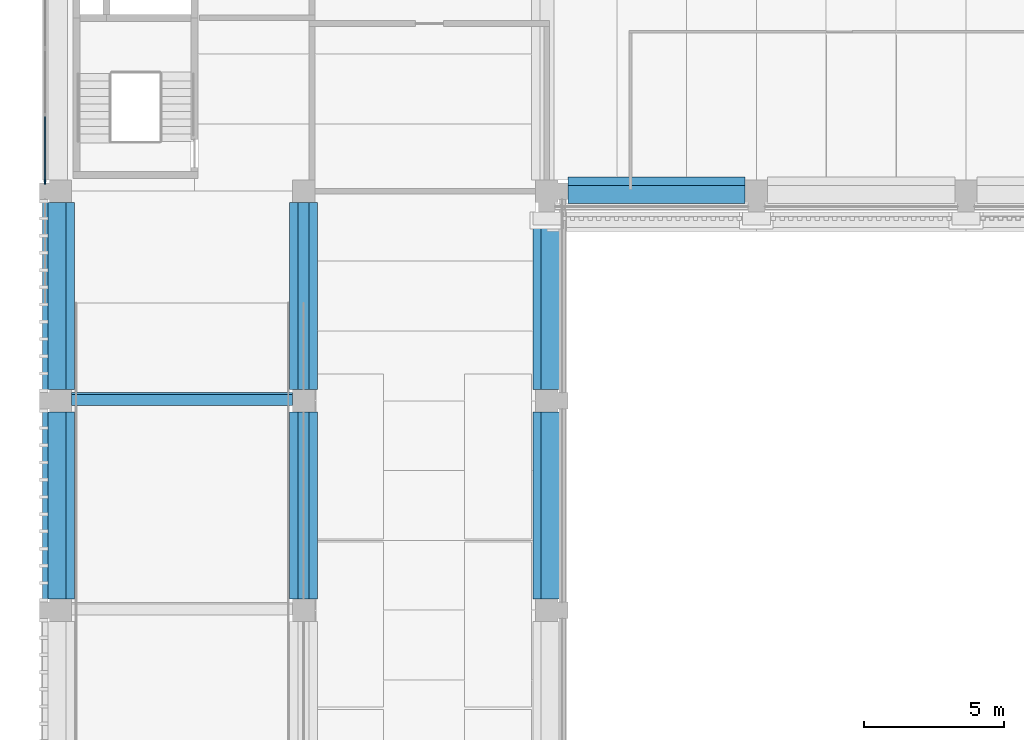
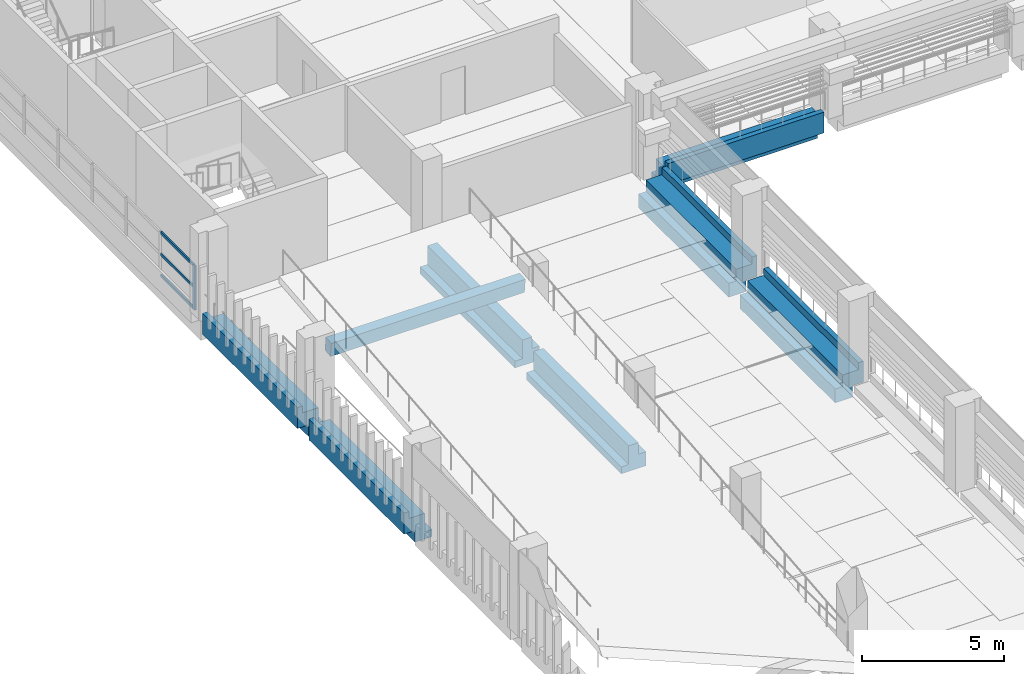
# One storey, part 3 of 71: 8 beams, 4 members, 1 element without a shape of its own.
"""IFC4 building model written with IfcOpenShell, lengths in metres."""

from ifc_helpers import new_model, si_unit, direction, frame, origin, origin_2d, place, context, subcontext, project, spatial, polyline, rectangle, outline, extrude, material, layer, layer_set, material_profile, profile_set, type_object, element, aggregate, save


model = new_model("IFC4")

# Units and contexts
model_context = context("Model", 3, precision=1e-05, world=origin(), true_north=direction((0.0, 1.0)))
body_context = subcontext(model_context, "Body", "Model", "MODEL_VIEW")
ifc_project = project(units=[si_unit("LENGTHUNIT", "METRE"), si_unit("AREAUNIT", "SQUARE_METRE"), si_unit("VOLUMEUNIT", "CUBIC_METRE"), si_unit("PLANEANGLEUNIT", "RADIAN"), si_unit("MASSUNIT", "GRAM", prefix="KILO")], contexts=[model_context])

# Site, building, storey
site_placement = place(None, origin())
site = spatial("IfcSite", under=ifc_project, at=site_placement, CompositionType="ELEMENT")
building_placement = place(site_placement, origin())
building = spatial("IfcBuilding", under=site, at=building_placement, Name="Cour d'Honneur Mobility Palace", CompositionType="ELEMENT")
storey_placement = place(building_placement, frame((0.0, 0.0, 15.60009765625)))
storey = spatial("IfcBuildingStorey", under=building, at=storey_placement, Name="L04", CompositionType="ELEMENT", Elevation=15.60009765625)

# Curtain wall, members
ifc_material_1 = material(Name="Aluminium and glass", Category="aluminium")
ifc_layer = layer(ifc_material_1, 0.10009765625)
ifc_layer_set = layer_set([ifc_layer], Name="Aluminium and glass")
curtain_wall_type = type_object("IfcCurtainWallType", Name="Curtain wall run", PredefinedType="NOTDEFINED", material=ifc_layer_set)
curtain_wall_placement = place(storey_placement, origin())
curtain_wall = element("IfcCurtainWall", 1, at=curtain_wall_placement, inside=storey, type_object=curtain_wall_type, Name="Curtain wall CW-103", PredefinedType="NOTDEFINED")
ifc_material_2 = material(Name="Aluminium", Category="aluminium")
ifc_material_profile_1 = material_profile(ifc_material_2, rectangle(XDim=0.06005859375, YDim=0.159912109375, at=origin_2d()), Name="Curtain wall mullion")
ifc_profile_set_1 = profile_set([ifc_material_profile_1], Name="Aluminium")
member_type_1 = type_object("IfcMemberType", Name="Curtain wall mullion", PredefinedType="MULLION", material=ifc_profile_set_1)
member_1_placement = place(storey_placement, frame((-0.550048828125, 45.330078125, 0.0), z_axis=(0.0, 0.0, 1.0), x_axis=(1.0, 0.0, 0.0)))
member_1 = element("IfcMember", 2, at=member_1_placement, type_object=member_type_1, Name="CW-103 mullion 8", PredefinedType="MULLION", context=body_context, shape_type="SweptSolid", body=[
    extrude(rectangle(XDim=0.06005859375, YDim=0.159912109375, at=origin_2d()), origin(), (0.0, 0.0, 1.0), 1.89990234375),
])
ifc_material_3 = material(Name="Aluminium", Category="aluminium")
ifc_material_profile_2 = material_profile(ifc_material_3, rectangle(XDim=0.06005859375, YDim=0.1201171875, at=origin_2d()), Name="Curtain wall transom")
ifc_profile_set_2 = profile_set([ifc_material_profile_2], Name="Aluminium")
member_type_2 = type_object("IfcMemberType", Name="Curtain wall transom", PredefinedType="USERDEFINED", material=ifc_profile_set_2)
member_2_placement = place(storey_placement, frame((-0.550048828125, 47.669921875, 0.02978515625), z_axis=(0.0, -1.0, 0.0), x_axis=(1.0, 0.0, 0.0)))
member_2 = element("IfcMember", 3, at=member_2_placement, type_object=member_type_2, Name="CW-103 transom 7.1", ObjectType="TRANSOM", PredefinedType="USERDEFINED", context=body_context, shape_type="SweptSolid", body=[
    extrude(rectangle(XDim=0.06005859375, YDim=0.1201171875, at=origin_2d()), origin(), (0.0, 0.0, 1.0), 2.309814453125),
])
member_3_placement = place(storey_placement, frame((-0.550048828125, 47.669921875, 0.949951171875), z_axis=(0.0, -1.0, 0.0), x_axis=(1.0, 0.0, 0.0)))
member_3 = element("IfcMember", 4, at=member_3_placement, type_object=member_type_2, Name="CW-103 transom 7.2", ObjectType="TRANSOM", PredefinedType="USERDEFINED", context=body_context, shape_type="SweptSolid", body=[
    extrude(rectangle(XDim=0.06005859375, YDim=0.1201171875, at=origin_2d()), origin(), (0.0, 0.0, 1.0), 2.309814453125),
])
member_4_placement = place(storey_placement, frame((-0.550048828125, 47.669921875, 1.869873046875), z_axis=(0.0, -1.0, 0.0), x_axis=(1.0, 0.0, 0.0)))
member_4 = element("IfcMember", 5, at=member_4_placement, type_object=member_type_2, Name="CW-103 transom 7.3", ObjectType="TRANSOM", PredefinedType="USERDEFINED", context=body_context, shape_type="SweptSolid", body=[
    extrude(rectangle(XDim=0.06005859375, YDim=0.1201171875, at=origin_2d()), origin(), (0.0, 0.0, 1.0), 2.309814453125),
])
aggregate(curtain_wall, [member_1, member_2, member_3, member_4])

# Beams
ifc_material_4 = material(Name="Concrete C45", Category="concrete")
ifc_material_profile_3 = material_profile(ifc_material_4, outline(polyline([(0.5, -1.10009765625), (0.5, -0.800048828125), (0.199951171875, -0.800048828125), (0.199951171875, 0.0), (-0.199951171875, 0.0), (-0.199951171875, -0.5), (-0.5, -0.5), (-0.5, -1.10009765625), (0.5, -1.10009765625)])), Name="Inverted Tee Beam 400x1100 ledges 300/600 plain")
ifc_profile_set_3 = profile_set([ifc_material_profile_3], Name="Concrete C45")
beam_type_1 = type_object("IfcBeamType", Name="Inverted Tee Beam 400x1100 ledges 300/600 plain", PredefinedType="T_BEAM", material=ifc_profile_set_3)
for number, where, z_axis, x_axis, name in (
    (6, (8.699951171875, 30.39990234375, 0.0), (0.0, 1.0, 0.0), (-1.0, 0.0, 0.0), "Precast beam B11 E-F L04"),
    (7, (8.699951171875, 37.89990234375, 0.0), (0.0, 1.0, 0.0), (-1.0, 0.0, 0.0), "Precast beam B11 F-G L04"),
):
    element("IfcBeam", number, at=place(storey_placement, frame(where, z_axis=z_axis, x_axis=x_axis)), inside=storey, type_object=beam_type_1, Name=name, PredefinedType="T_BEAM", context=body_context, shape_type="SweptSolid", body=[
        extrude(outline(polyline([(0.5, -1.10009765625), (0.5, -0.800048828125), (0.199951171875, -0.800048828125), (0.199951171875, 0.0), (-0.199951171875, 0.0), (-0.199951171875, -0.5), (-0.5, -0.5), (-0.5, -1.10009765625), (0.5, -1.10009765625)])), origin(), (0.0, 0.0, 1.0), 6.7001953125),
    ])
ifc_material_5 = material(Name="Concrete C45", Category="concrete")
ifc_material_profile_4 = material_profile(ifc_material_5, outline(polyline([(0.5, -1.10009765625), (0.5, -0.75), (0.199951171875, -0.75), (0.199951171875, 0.0), (-0.199951171875, 0.0), (-0.449951171875, 0.0), (-0.449951171875, 0.300048828125), (-0.64990234375, 0.300048828125), (-0.64990234375, -0.60009765625), (-0.199951171875, -0.60009765625), (-0.199951171875, -1.10009765625), (0.5, -1.10009765625)])), Name="Ledger Beam 400x1100 ledge left 350 facade right")
ifc_profile_set_4 = profile_set([ifc_material_profile_4], Name="Concrete C45")
beam_type_2 = type_object("IfcBeamType", Name="Ledger Beam 400x1100 ledge left 350 facade right", PredefinedType="BEAM", material=ifc_profile_set_4)
beam_1_placement = place(storey_placement, frame((18.14990234375, 45.0, 0.0), z_axis=(1.0, 0.0, 0.0), x_axis=(0.0, 1.0, 0.0)))
element("IfcBeam", 8, at=beam_1_placement, inside=storey, type_object=beam_type_2, Name="Precast beam B2 2-3 L04", PredefinedType="BEAM", context=body_context, shape_type="SweptSolid", body=[
    extrude(outline(polyline([(0.5, -1.10009765625), (0.5, -0.75), (0.199951171875, -0.75), (0.199951171875, 0.0), (-0.199951171875, 0.0), (-0.449951171875, 0.0), (-0.449951171875, 0.300048828125), (-0.64990234375, 0.300048828125), (-0.64990234375, -0.60009765625), (-0.199951171875, -0.60009765625), (-0.199951171875, -1.10009765625), (0.5, -1.10009765625)])), origin(), (0.0, 0.0, 1.0), 6.35009765625),
])
ifc_material_6 = material(Name="Concrete C45", Category="concrete")
ifc_material_profile_5 = material_profile(ifc_material_6, outline(polyline([(0.5, -1.10009765625), (0.5, -0.5), (0.199951171875, -0.5), (0.199951171875, 0.0), (-0.199951171875, 0.0), (-0.449951171875, 0.0), (-0.449951171875, 0.300048828125), (-0.64990234375, 0.300048828125), (-0.64990234375, -0.60009765625), (-0.199951171875, -0.60009765625), (-0.199951171875, -1.10009765625), (0.5, -1.10009765625)])), Name="Ledger Beam 400x1100 ledge left 600 facade right")
ifc_profile_set_5 = profile_set([ifc_material_profile_5], Name="Concrete C45")
beam_type_3 = type_object("IfcBeamType", Name="Ledger Beam 400x1100 ledge left 600 facade right", PredefinedType="BEAM", material=ifc_profile_set_5)
beam_2_placement = place(storey_placement, frame((17.39990234375, 30.39990234375, 0.0), z_axis=(0.0, 1.0, 0.0), x_axis=(-1.0, 0.0, 0.0)))
element("IfcBeam", 9, at=beam_2_placement, inside=storey, type_object=beam_type_3, Name="Precast beam B12 E-F L04", PredefinedType="BEAM", context=body_context, shape_type="SweptSolid", body=[
    extrude(outline(polyline([(0.5, -1.10009765625), (0.5, -0.5), (0.199951171875, -0.5), (0.199951171875, 0.0), (-0.199951171875, 0.0), (-0.449951171875, 0.0), (-0.449951171875, 0.300048828125), (-0.64990234375, 0.300048828125), (-0.64990234375, -0.60009765625), (-0.199951171875, -0.60009765625), (-0.199951171875, -1.10009765625), (0.5, -1.10009765625)])), origin(), (0.0, 0.0, 1.0), 6.7001953125),
])
beam_3_placement = place(storey_placement, frame((17.39990234375, 37.89990234375, 0.0), z_axis=(0.0, 1.0, 0.0), x_axis=(-1.0, 0.0, 0.0)))
element("IfcBeam", 10, at=beam_3_placement, inside=storey, type_object=beam_type_3, Name="Precast beam B12 F-G L04", PredefinedType="BEAM", context=body_context, shape_type="SweptSolid", body=[
    extrude(outline(polyline([(0.5, -1.10009765625), (0.5, -0.5), (0.199951171875, -0.5), (0.199951171875, 0.0), (-0.199951171875, 0.0), (-0.449951171875, 0.0), (-0.449951171875, 0.300048828125), (-0.64990234375, 0.300048828125), (-0.64990234375, -0.60009765625), (-0.199951171875, -0.60009765625), (-0.199951171875, -1.10009765625), (0.5, -1.10009765625)])), origin(), (0.0, 0.0, 1.0), 6.35009765625),
])
ifc_material_7 = material(Name="Concrete C45", Category="concrete")
ifc_material_profile_6 = material_profile(ifc_material_7, outline(polyline([(0.199951171875, -1.10009765625), (0.199951171875, -0.60009765625), (0.64990234375, -0.60009765625), (0.64990234375, 0.300048828125), (0.449951171875, 0.300048828125), (0.449951171875, 0.0), (0.199951171875, 0.0), (-0.199951171875, 0.0), (-0.199951171875, -0.800048828125), (-0.5, -0.800048828125), (-0.5, -1.10009765625), (0.199951171875, -1.10009765625)])), Name="Ledger Beam 400x1100 ledge right 300 facade left")
ifc_profile_set_6 = profile_set([ifc_material_profile_6], Name="Concrete C45")
beam_type_4 = type_object("IfcBeamType", Name="Ledger Beam 400x1100 ledge right 300 facade left", PredefinedType="BEAM", material=ifc_profile_set_6)
for number, where, z_axis, x_axis, name in (
    (11, (0.0, 30.39990234375, 0.0), (0.0, 1.0, 0.0), (-1.0, 0.0, 0.0), "Precast beam B6 E-F L04"),
    (12, (0.0, 37.89990234375, 0.0), (0.0, 1.0, 0.0), (-1.0, 0.0, 0.0), "Precast beam B6 F-G L04"),
):
    element("IfcBeam", number, at=place(storey_placement, frame(where, z_axis=z_axis, x_axis=x_axis)), inside=storey, type_object=beam_type_4, Name=name, PredefinedType="BEAM", context=body_context, shape_type="SweptSolid", body=[
        extrude(outline(polyline([(0.199951171875, -1.10009765625), (0.199951171875, -0.60009765625), (0.64990234375, -0.60009765625), (0.64990234375, 0.300048828125), (0.449951171875, 0.300048828125), (0.449951171875, 0.0), (0.199951171875, 0.0), (-0.199951171875, 0.0), (-0.199951171875, -0.800048828125), (-0.5, -0.800048828125), (-0.5, -1.10009765625), (0.199951171875, -1.10009765625)])), origin(), (0.0, 0.0, 1.0), 6.7001953125),
    ])
ifc_material_8 = material(Name="Concrete C40", Category="concrete")
ifc_material_profile_7 = material_profile(ifc_material_8, rectangle(XDim=0.39990234375, YDim=0.60009765625, at=origin_2d()), Name="Ramp cross beam 400x600")
ifc_profile_set_7 = profile_set([ifc_material_profile_7], Name="Concrete C40")
beam_type_5 = type_object("IfcBeamType", Name="Ramp cross beam 400x600", PredefinedType="BEAM", material=ifc_profile_set_7)
beam_4_placement = place(storey_placement, frame((0.39990234375, 37.559814453125, 2.7529296875), z_axis=(1.0, 0.0, 0.0), x_axis=(0.0, 0.995037190449, 0.099503716633)))
element("IfcBeam", 13, at=beam_4_placement, inside=storey, type_object=beam_type_5, Name="Ramp cross beam SW.R4-5", PredefinedType="BEAM", context=body_context, shape_type="SweptSolid", body=[
    extrude(rectangle(XDim=0.39990234375, YDim=0.60009765625, at=origin_2d()), origin(), (0.0, 0.0, 1.0), 7.900146484375),
])

save(model, "model.ifc")
